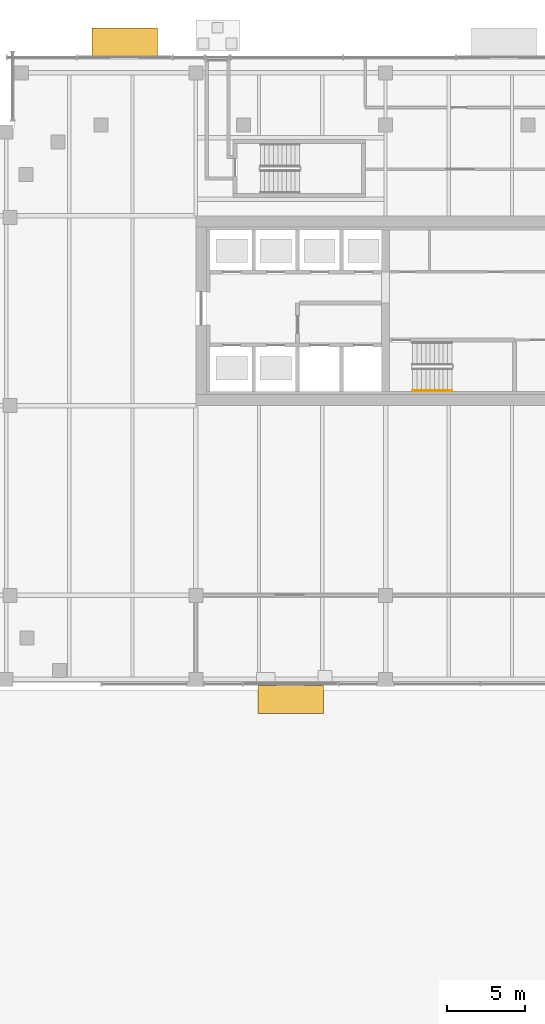
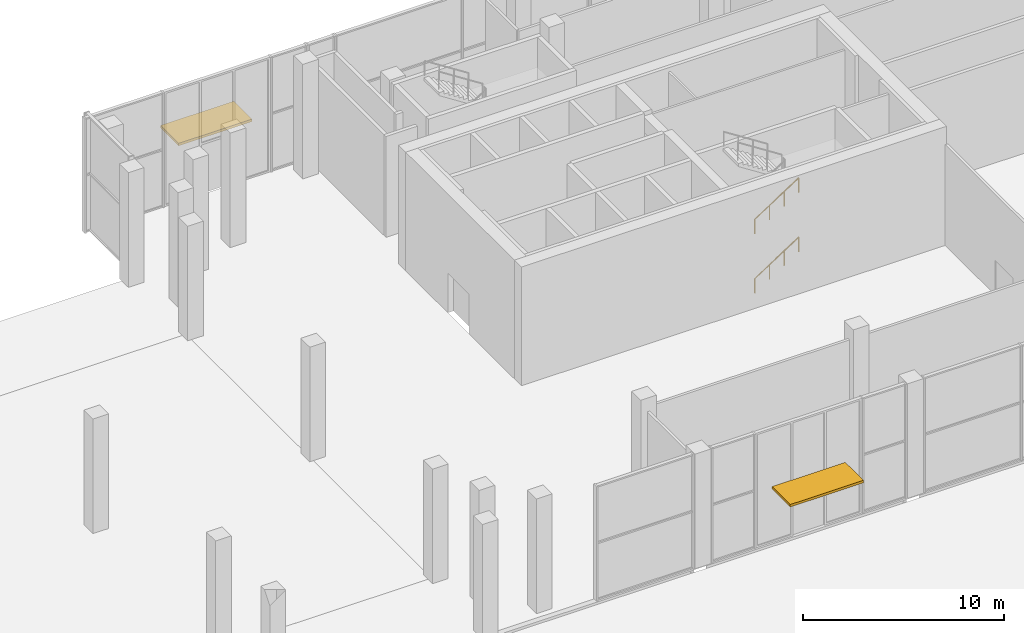
# One storey, part 32 of 36: 2 railings, 2 shading devices.
"""IFC4 building model written with IfcOpenShell, lengths in metres."""

from ifc_helpers import new_model, si_unit, direction, frame, origin, origin_2d, place, context, subcontext, project, spatial, rectangle, circle, extrude, material, layer, layer_set, type_object, element, save


model = new_model("IFC4")

# Units and contexts
model_context = context("Model", 3, precision=1e-05, world=origin(), true_north=direction((0.0, 1.0)))
body_context = subcontext(model_context, "Body", "Model", "MODEL_VIEW")
ifc_project = project(units=[si_unit("LENGTHUNIT", "METRE"), si_unit("AREAUNIT", "SQUARE_METRE"), si_unit("VOLUMEUNIT", "CUBIC_METRE"), si_unit("PLANEANGLEUNIT", "RADIAN"), si_unit("MASSUNIT", "GRAM", prefix="KILO")], contexts=[model_context])

# Site, building, storey
site_placement = place(None, origin())
site = spatial("IfcSite", under=ifc_project, at=site_placement, CompositionType="ELEMENT")
building_placement = place(site_placement, origin())
building = spatial("IfcBuilding", under=site, at=building_placement, Name="Tessera Gate Towers", CompositionType="ELEMENT")
storey_placement = place(building_placement, origin())
storey = spatial("IfcBuildingStorey", under=building, at=storey_placement, Name="L00", CompositionType="ELEMENT", Elevation=0.0)

# Shading devices
ifc_material_1 = material(Name="Powder-coated steel and laminated glass", Category="steel")
ifc_layer = layer(ifc_material_1, 0.14990234375)
ifc_layer_set = layer_set([ifc_layer], Name="AW1 entrance canopy")
shading_device_type = type_object("IfcShadingDeviceType", Name="AW1 entrance canopy", PredefinedType="AWNING", material=ifc_layer_set)
for number, where, z_axis, x_axis, name in (
    (1, (103.699951171875, 17.699951171875, 3.25), (0.0, 0.0, 1.0), (1.0, 0.0, 0.0), "Entrance canopy PD AW1-0001"),
    (2, (93.02490234375, 60.0, 3.25), (0.0, 0.0, 1.0), (-1.0, 0.0, 0.0), "Entrance canopy PD AW1-0004"),
):
    element("IfcShadingDevice", number, at=place(storey_placement, frame(where, z_axis=z_axis, x_axis=x_axis)), inside=storey, type_object=shading_device_type, Name=name, PredefinedType="AWNING", context=body_context, shape_type="SweptSolid", body=[
        extrude(rectangle(XDim=4.199951171875, YDim=1.800048828125, at=origin_2d()), origin(), (0.0, 0.0, 1.0), 0.14990234375),
    ])

# Railings
ifc_material_2 = material(Name="Steel 350W", Category="steel")
railing_type = type_object("IfcRailingType", Name="STAIR HANDRAIL 900", PredefinedType="HANDRAIL", material=ifc_material_2)
railing_1_placement = place(storey_placement, frame((111.550048828125, 37.550048828125, 0.179931640625)))
element("IfcRailing", 3, at=railing_1_placement, inside=storey, type_object=railing_type, Name="L00 ST6 stair handrail 1", PredefinedType="HANDRAIL", context=body_context, shape_type="SweptSolid", body=[
    extrude(circle(Radius=0.02392578125, at=origin_2d()), frame((0.0, 0.0, 0.8759765625), z_axis=(0.841162588446, 0.0, 0.540782303519), x_axis=(0.0, 1.0, 0.0)), (0.0, 0.0, 1.0), 2.995849609375),
    extrude(circle(Radius=0.02099609375, at=origin_2d()), origin(), (0.0, 0.0, 1.0), 0.851806640625),
    extrude(circle(Radius=0.02099609375, at=origin_2d()), frame((0.840087890625, 0.0, 0.5400390625)), (0.0, 0.0, 1.0), 0.851806640625),
    extrude(circle(Radius=0.02099609375, at=origin_2d()), frame((1.679931640625, 0.0, 1.080078125)), (0.0, 0.0, 1.0), 0.851806640625),
    extrude(circle(Radius=0.02099609375, at=origin_2d()), frame((2.52001953125, 0.0, 1.6201171875)), (0.0, 0.0, 1.0), 0.851806640625),
])
railing_2_placement = place(storey_placement, frame((111.550048828125, 37.550048828125, 3.780029296875)))
element("IfcRailing", 4, at=railing_2_placement, inside=storey, type_object=railing_type, Name="L00 ST6 stair handrail 3", PredefinedType="HANDRAIL", context=body_context, shape_type="SweptSolid", body=[
    extrude(circle(Radius=0.02392578125, at=origin_2d()), frame((0.0, 0.0, 0.8759765625), z_axis=(0.841199657755, 0.0, 0.540724639528), x_axis=(0.0, 1.0, 0.0)), (0.0, 0.0, 1.0), 2.995849609375),
    extrude(circle(Radius=0.02099609375, at=origin_2d()), origin(), (0.0, 0.0, 1.0), 0.851806640625),
    extrude(circle(Radius=0.02099609375, at=origin_2d()), frame((0.840087890625, 0.0, 0.5400390625)), (0.0, 0.0, 1.0), 0.851806640625),
    extrude(circle(Radius=0.02099609375, at=origin_2d()), frame((1.679931640625, 0.0, 1.079833984375)), (0.0, 0.0, 1.0), 0.851806640625),
    extrude(circle(Radius=0.02099609375, at=origin_2d()), frame((2.52001953125, 0.0, 1.619873046875)), (0.0, 0.0, 1.0), 0.851806640625),
])

save(model, "model.ifc")
